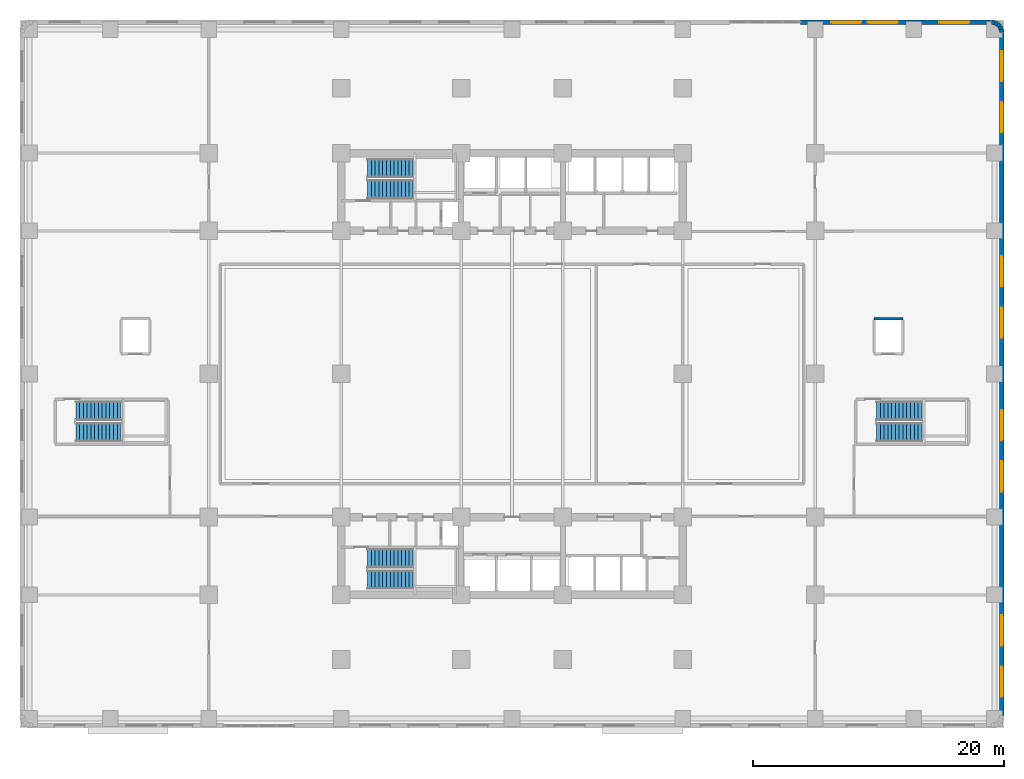
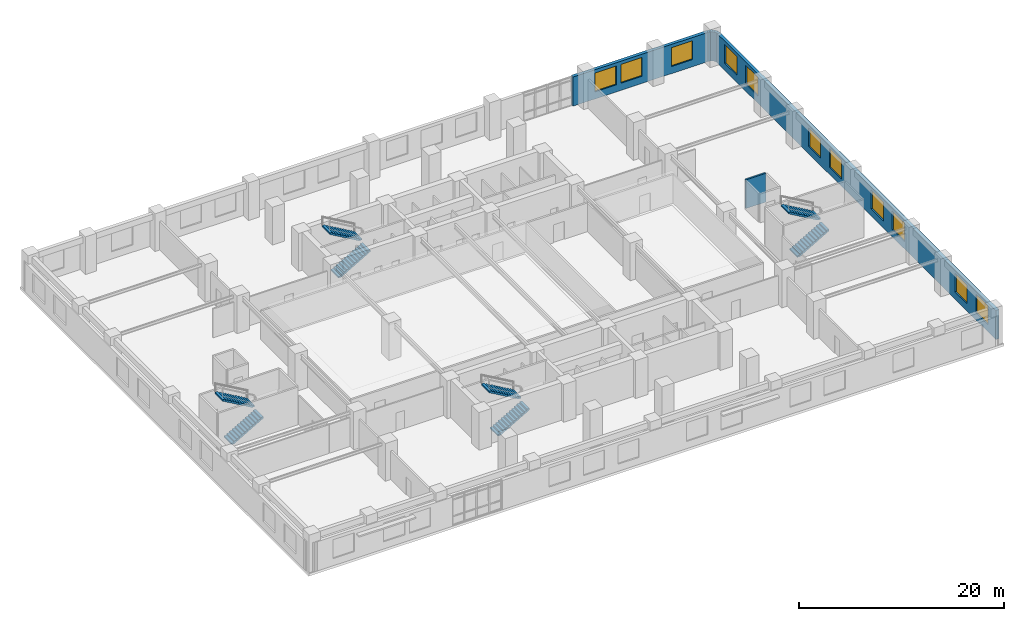
# One storey, part 10 of 14: 11 windows, 8 stair flights, 8 walls, 11 openings, 4 elements without a shape of their own.
"""IFC4 building model written with IfcOpenShell, lengths in metres."""

import ifcopenshell
import ifcopenshell.guid

model = None  # the IFC model being written
_history = None  # IfcOwnerHistory: only IFC2X3 demands one
_inside = {}  # id of a spatial element -> (the spatial element, [elements in it])
_under = {}  # id of a project, library or spatial element -> (it, [spatial elements below it])
_declared = {}  # id of a project -> (the project, [libraries it declares])
_typed = {}  # id of a type object -> (the type object, [elements of that type])
_made_of = {}  # id of a material, layer set ... -> (it, [elements and type objects made of it])


def new_model(schema):
    """Start an empty IFC model of exactly this schema.

    Asked for "IFC4X3", IfcOpenShell would pick the latest addendum, in which some entities
    have other attributes; the version numbers below select the first issue.
    IFC2X3 requires an IfcOwnerHistory on every rooted entity: one is made here for all.
    """
    global model, _history
    if schema == "IFC4X3":
        model = ifcopenshell.file(schema_version=(4, 3, 0, 0))
    else:
        model = ifcopenshell.file(schema=schema)
    _inside.clear()
    _under.clear()
    _declared.clear()
    _typed.clear()
    _made_of.clear()
    _history = None
    if model.schema == "IFC2X3":
        org = make("IfcOrganization", Name="unknown")
        user = make(
            "IfcPersonAndOrganization",
            ThePerson=make("IfcPerson", FamilyName="unknown"),
            TheOrganization=org,
        )
        app = make(
            "IfcApplication",
            ApplicationDeveloper=org,
            Version="unknown",
            ApplicationFullName="unknown",
            ApplicationIdentifier="unknown",
        )
        _history = make(
            "IfcOwnerHistory",
            OwningUser=user,
            OwningApplication=app,
            ChangeAction="ADDED",
            CreationDate=0,
        )
    return model


def make(cls, **values):
    """One entity of the class cls with the attributes given. An attribute that is None is left unset."""
    return model.create_entity(
        cls, **{name: value for name, value in values.items() if value is not None}
    )


def rooted(cls, **values):
    """An entity with a GlobalId (a new one), such as an element, a storey or a relation."""
    return make(cls, GlobalId=ifcopenshell.guid.new(), OwnerHistory=_history, **values)


def si_unit(unit_type, name, prefix=None):
    """IfcSIUnit, for example si_unit("LENGTHUNIT", "METRE", prefix="MILLI")."""
    return make("IfcSIUnit", UnitType=unit_type, Prefix=prefix, Name=name)


def assignment(units):
    """IfcUnitAssignment: the units of a project."""
    return None if units is None else make("IfcUnitAssignment", Units=units)


def point(xyz):
    """IfcCartesianPoint."""
    return None if xyz is None else make("IfcCartesianPoint", Coordinates=xyz)


def direction(xyz):
    """IfcDirection."""
    return None if xyz is None else make("IfcDirection", DirectionRatios=xyz)


def frame(location, z_axis=None, x_axis=None):
    """IfcAxis2Placement3D, a coordinate frame: its origin and axes. An axis left out is left unset."""
    return make(
        "IfcAxis2Placement3D",
        Location=point(location),
        Axis=direction(z_axis),
        RefDirection=direction(x_axis),
    )


def frame_2d(location, x_axis=None):
    """IfcAxis2Placement2D, a coordinate frame in the plane: its origin and x axis."""
    return make(
        "IfcAxis2Placement2D", Location=point(location), RefDirection=direction(x_axis)
    )


def origin():
    """The frame at (0, 0, 0) with its axes left unset."""
    return frame((0.0, 0.0, 0.0))


def place(relative_to, where):
    """IfcLocalPlacement: puts the frame where relative to a parent placement (None: the world)."""
    return make(
        "IfcLocalPlacement", PlacementRelTo=relative_to, RelativePlacement=where
    )


def context(
    kind, dimensions, precision=None, world=None, true_north=None, identifier=None
):
    """IfcGeometricRepresentationContext, for example the 3D "Model" context."""
    return make(
        "IfcGeometricRepresentationContext",
        ContextIdentifier=identifier,
        ContextType=kind,
        CoordinateSpaceDimension=dimensions,
        Precision=precision,
        WorldCoordinateSystem=world,
        TrueNorth=true_north,
    )


def subcontext(parent, identifier, kind, view, scale=None):
    """IfcGeometricRepresentationSubContext, for example "Body" below "Model"."""
    return make(
        "IfcGeometricRepresentationSubContext",
        ContextIdentifier=identifier,
        ContextType=kind,
        ParentContext=parent,
        TargetScale=scale,
        TargetView=view,
    )


def project(units=None, contexts=None):
    """IfcProject with its units and contexts."""
    return rooted(
        "IfcProject",
        Name="project",
        RepresentationContexts=contexts,
        UnitsInContext=assignment(units),
    )


def spatial(cls, under=None, at=None, **own):
    """A site, building, storey or space (cls), placed at a placement, below another one or the project."""
    s = rooted(cls, ObjectPlacement=at, **own)
    if under is not None:
        _under.setdefault(under.id(), (under, []))[1].append(s)
    return s


def polyline(points):
    """IfcPolyline through the points."""
    return make("IfcPolyline", Points=[point(p) for p in points])


def profile(cls, at=None, kind="AREA", **sizes):
    """A parametric profile (cls). Its sizes go by their IFC names, for example OverallWidth=200.0."""
    return make(cls, ProfileType=kind, Position=at, **sizes)


def rectangle(**sizes):
    """IfcRectangleProfileDef."""
    return profile("IfcRectangleProfileDef", **sizes)


def outline(outer, holes=None, kind="AREA"):
    """IfcArbitraryClosedProfileDef: a profile drawn as a closed curve; with holes, ...WithVoids."""
    if holes is None:
        return make("IfcArbitraryClosedProfileDef", ProfileType=kind, OuterCurve=outer)
    return make(
        "IfcArbitraryProfileDefWithVoids",
        ProfileType=kind,
        OuterCurve=outer,
        InnerCurves=holes,
    )


def extrude(swept, where, along, depth):
    """IfcExtrudedAreaSolid: the profile swept, set in the frame where, extruded along a direction by depth."""
    return make(
        "IfcExtrudedAreaSolid",
        SweptArea=swept,
        Position=where,
        ExtrudedDirection=direction(along),
        Depth=depth,
    )


def shape(context_of_items, identifier, shape_type, items):
    """IfcShapeRepresentation: the items that make up one representation, for example the "Body"."""
    return make(
        "IfcShapeRepresentation",
        ContextOfItems=context_of_items,
        RepresentationIdentifier=identifier,
        RepresentationType=shape_type,
        Items=items,
    )


def material(Name=None, Category=None):
    """IfcMaterial."""
    return make("IfcMaterial", Name=Name, Category=Category)


def layer(
    of_material, thickness, ventilated=None, Name=None, Category=None, Priority=None
):
    """IfcMaterialLayer: one layer of a wall or slab, of a material (None: an air gap)."""
    return make(
        "IfcMaterialLayer",
        Material=of_material,
        LayerThickness=thickness,
        IsVentilated=ventilated,
        Name=Name,
        Category=Category,
        Priority=Priority,
    )


def layer_set(layers, Name=None):
    """IfcMaterialLayerSet."""
    return make("IfcMaterialLayerSet", MaterialLayers=layers, LayerSetName=Name)


def made_of(thing, what):
    """Note that an element or type object is made of a material, layer set ...; save() writes the relation."""
    if what is not None:
        _made_of.setdefault(what.id(), (what, []))[1].append(thing)
    return thing


def type_object(cls, material=None, **own):
    """A type object (cls), such as IfcWallType, which elements share."""
    return made_of(rooted(cls, **own), material)


def element(
    cls,
    number,
    at=None,
    inside=None,
    cuts=None,
    type_object=None,
    material=None,
    context=None,
    identifier="Body",
    shape_type=None,
    held_by="IfcProductDefinitionShape",
    body=None,
    shapes=None,
    **own,
):
    """One element of the class cls, such as IfcWall. Its Tag is "e" and its number.

    at: its placement. inside: the storey or other place that contains it. cuts: it is an
    opening in that element (IfcRelVoidsElement). A single representation is given by context,
    identifier, shape_type and body (its items); several are given by shapes. held_by: the class
    of the entity that holds the representations. save() writes the other relations.
    """
    e = rooted(cls, Tag="e%d" % number, ObjectPlacement=at, **own)
    if body is not None:
        shapes = [shape(context, identifier, shape_type, body)]
    if shapes is not None:
        e.Representation = make(held_by, Representations=shapes)
    if inside is not None:
        _inside.setdefault(inside.id(), (inside, []))[1].append(e)
    if cuts is not None:
        rooted(
            "IfcRelVoidsElement", RelatingBuildingElement=cuts, RelatedOpeningElement=e
        )
    if type_object is not None:
        _typed.setdefault(type_object.id(), (type_object, []))[1].append(e)
    return made_of(e, material)


def fill(opening, filler):
    """IfcRelFillsElement: the door or window that sits in an opening."""
    return rooted(
        "IfcRelFillsElement",
        RelatingOpeningElement=opening,
        RelatedBuildingElement=filler,
    )


def aggregate(whole, parts):
    """IfcRelAggregates: a whole, such as a stair, and the parts it consists of."""
    return rooted("IfcRelAggregates", RelatingObject=whole, RelatedObjects=parts)


def save(model, path):
    """Write the relations noted so far, then the file.

    IfcRelAggregates (storeys below a building ...), IfcRelContainedInSpatialStructure (elements
    in a storey), IfcRelDefinesByType, IfcRelAssociatesMaterial and IfcRelDeclares: one each for
    every whole, place, type object, material and project.
    """
    for whole, parts in _under.values():
        aggregate(whole, parts)
    for where, things in _inside.values():
        rooted(
            "IfcRelContainedInSpatialStructure",
            RelatedElements=things,
            RelatingStructure=where,
        )
    for kind, things in _typed.values():
        rooted("IfcRelDefinesByType", RelatedObjects=things, RelatingType=kind)
    for what, things in _made_of.values():
        rooted("IfcRelAssociatesMaterial", RelatedObjects=things, RelatingMaterial=what)
    for by, libraries in _declared.values():
        rooted("IfcRelDeclares", RelatingContext=by, RelatedDefinitions=libraries)
    model.write(path)


model = new_model("IFC4")

# Units and contexts
model_context = context("Model", 3, precision=1e-05, world=origin(), true_north=direction((0.0, 1.0)))
body_context = subcontext(model_context, "Body", "Model", "MODEL_VIEW")
ifc_project = project(units=[si_unit("LENGTHUNIT", "METRE"), si_unit("AREAUNIT", "SQUARE_METRE"), si_unit("VOLUMEUNIT", "CUBIC_METRE"), si_unit("PLANEANGLEUNIT", "RADIAN"), si_unit("MASSUNIT", "GRAM", prefix="KILO")], contexts=[model_context])

# Site, building, storey
site_placement = place(None, origin())
site = spatial("IfcSite", under=ifc_project, at=site_placement, CompositionType="ELEMENT")
building_placement = place(site_placement, origin())
building = spatial("IfcBuilding", under=site, at=building_placement, Name="Svetorya Sky Lyceum", CompositionType="ELEMENT")
storey_placement = place(building_placement, frame((0.0, 0.0, 15.60009765625)))
storey = spatial("IfcBuildingStorey", under=building, at=storey_placement, Name="L03", CompositionType="ELEMENT", Elevation=15.60009765625)

# Wall, openings, windows
ifc_material_1 = material(Name="Putilovo limestone rainscreen on autoclaved cellular masonry", Category="masonry")
ifc_layer_1 = layer(ifc_material_1, 0.360107421875)
ifc_layer_set_1 = layer_set([ifc_layer_1], Name="Putilovo limestone rainscreen on autoclaved cellular masonry")
wall_type_1 = type_object("IfcWallType", Name="WL-EXT-360", PredefinedType="SOLIDWALL", material=ifc_layer_set_1)
wall_1_placement = place(storey_placement, frame((78.219970703125, 0.97998046875, 0.0), z_axis=(0.0, 0.0, 1.0), x_axis=(0.0, 1.0, 0.0)))
wall_1 = element("IfcWall", 1, at=wall_1_placement, inside=storey, type_object=wall_type_1, Name="L03 Limestone Exterior Wall 12M", PredefinedType="SOLIDWALL", context=body_context, shape_type="SweptSolid", body=[
    extrude(rectangle(XDim=54.43994140625, YDim=0.360107421875, at=frame_2d((27.219970703125, 0.0))), origin(), (0.0, 0.0, 1.0), 3.47998046875),
])
opening_1_placement = place(wall_1_placement, frame((1.493896484375, 0.0, 0.85009765625)))
opening_1 = element("IfcOpeningElement", 2, at=opening_1_placement, cuts=wall_1, Name="Opening W-S1", PredefinedType="OPENING", context=body_context, shape_type="SweptSolid", body=[
    extrude(rectangle(XDim=2.39990234375, YDim=2.25, at=frame_2d((1.199951171875, 1.125))), frame((0.0, 0.18994140625, 0.0), z_axis=(0.0, -1.0, 0.0), x_axis=(1.0, 0.0, 0.0)), (0.0, 0.0, 1.0), 0.380126953125),
])
opening_2_placement = place(wall_1_placement, frame((5.58154296875, 0.0, 0.85009765625)))
opening_2 = element("IfcOpeningElement", 3, at=opening_2_placement, cuts=wall_1, Name="Opening W-S1", PredefinedType="OPENING", context=body_context, shape_type="SweptSolid", body=[
    extrude(rectangle(XDim=2.39990234375, YDim=2.25, at=frame_2d((1.199951171875, 1.125))), frame((0.0, 0.18994140625, 0.0), z_axis=(0.0, -1.0, 0.0), x_axis=(1.0, 0.0, 0.0)), (0.0, 0.0, 1.0), 0.380126953125),
])
opening_3_placement = place(wall_1_placement, frame((17.844482421875, 0.0, 0.85009765625)))
opening_3 = element("IfcOpeningElement", 4, at=opening_3_placement, cuts=wall_1, Name="Opening W-S1", PredefinedType="OPENING", context=body_context, shape_type="SweptSolid", body=[
    extrude(rectangle(XDim=2.39990234375, YDim=2.25, at=frame_2d((1.199951171875, 1.125))), frame((0.0, 0.18994140625, 0.0), z_axis=(0.0, -1.0, 0.0), x_axis=(1.0, 0.0, 0.0)), (0.0, 0.0, 1.0), 0.380126953125),
])
opening_4_placement = place(wall_1_placement, frame((21.932373046875, 0.0, 0.85009765625)))
opening_4 = element("IfcOpeningElement", 5, at=opening_4_placement, cuts=wall_1, Name="Opening W-S1", PredefinedType="OPENING", context=body_context, shape_type="SweptSolid", body=[
    extrude(rectangle(XDim=2.39990234375, YDim=2.25, at=frame_2d((1.199951171875, 1.125))), frame((0.0, 0.18994140625, 0.0), z_axis=(0.0, -1.0, 0.0), x_axis=(1.0, 0.0, 0.0)), (0.0, 0.0, 1.0), 0.380126953125),
])
opening_5_placement = place(wall_1_placement, frame((30.107666015625, 0.0, 0.85009765625)))
opening_5 = element("IfcOpeningElement", 6, at=opening_5_placement, cuts=wall_1, Name="Opening W-S1", PredefinedType="OPENING", context=body_context, shape_type="SweptSolid", body=[
    extrude(rectangle(XDim=2.39990234375, YDim=2.25, at=frame_2d((1.199951171875, 1.125))), frame((0.0, 0.18994140625, 0.0), z_axis=(0.0, -1.0, 0.0), x_axis=(1.0, 0.0, 0.0)), (0.0, 0.0, 1.0), 0.380126953125),
])
opening_6_placement = place(wall_1_placement, frame((34.1953125, 0.0, 0.85009765625)))
opening_6 = element("IfcOpeningElement", 7, at=opening_6_placement, cuts=wall_1, Name="Opening W-S1", PredefinedType="OPENING", context=body_context, shape_type="SweptSolid", body=[
    extrude(rectangle(XDim=2.39990234375, YDim=2.25, at=frame_2d((1.199951171875, 1.125))), frame((0.0, 0.18994140625, 0.0), z_axis=(0.0, -1.0, 0.0), x_axis=(1.0, 0.0, 0.0)), (0.0, 0.0, 1.0), 0.380126953125),
])
opening_7_placement = place(wall_1_placement, frame((46.45849609375, 0.0, 0.85009765625)))
opening_7 = element("IfcOpeningElement", 8, at=opening_7_placement, cuts=wall_1, Name="Opening W-S1", PredefinedType="OPENING", context=body_context, shape_type="SweptSolid", body=[
    extrude(rectangle(XDim=2.39990234375, YDim=2.25, at=frame_2d((1.199951171875, 1.125))), frame((0.0, 0.18994140625, 0.0), z_axis=(0.0, -1.0, 0.0), x_axis=(1.0, 0.0, 0.0)), (0.0, 0.0, 1.0), 0.380126953125),
])
opening_8_placement = place(wall_1_placement, frame((50.546142578125, 0.0, 0.85009765625)))
opening_8 = element("IfcOpeningElement", 9, at=opening_8_placement, cuts=wall_1, Name="Opening W-S1", PredefinedType="OPENING", context=body_context, shape_type="SweptSolid", body=[
    extrude(rectangle(XDim=2.39990234375, YDim=2.25, at=frame_2d((1.199951171875, 1.125))), frame((0.0, 0.18994140625, 0.0), z_axis=(0.0, -1.0, 0.0), x_axis=(1.0, 0.0, 0.0)), (0.0, 0.0, 1.0), 0.380126953125),
])
ifc_material_2 = material(Name="Thermally broken aluminium frame with triple low-E glazing", Category="aluminium")
window_type = type_object("IfcWindowType", Name="WN-SCH-240", PartitioningType="TRIPLE_PANEL_HORIZONTAL", PredefinedType="WINDOW", material=ifc_material_2)
window_1_placement = place(opening_1_placement, origin())
window_1 = element("IfcWindow", 10, at=window_1_placement, inside=storey, type_object=window_type, Name="L03 Facade Window W-S1.12M.1", OverallHeight=2.25, OverallWidth=2.39990234375, PartitioningType="SINGLE_PANEL", PredefinedType="WINDOW", context=body_context, shape_type="SweptSolid", body=[
    extrude(rectangle(XDim=2.39990234375, YDim=2.25, at=frame_2d((1.199951171875, 1.125))), frame((0.0, 0.030029296875, 0.0), z_axis=(0.0, -1.0, 0.0), x_axis=(1.0, 0.0, 0.0)), (0.0, 0.0, 1.0), 0.06005859375),
])
fill(opening_1, window_1)
window_2_placement = place(opening_2_placement, origin())
window_2 = element("IfcWindow", 11, at=window_2_placement, inside=storey, type_object=window_type, Name="L03 Facade Window W-S1.12M.2", OverallHeight=2.25, OverallWidth=2.39990234375, PartitioningType="SINGLE_PANEL", PredefinedType="WINDOW", context=body_context, shape_type="SweptSolid", body=[
    extrude(rectangle(XDim=2.39990234375, YDim=2.25, at=frame_2d((1.199951171875, 1.125))), frame((0.0, 0.030029296875, 0.0), z_axis=(0.0, -1.0, 0.0), x_axis=(1.0, 0.0, 0.0)), (0.0, 0.0, 1.0), 0.06005859375),
])
fill(opening_2, window_2)
window_3_placement = place(opening_3_placement, origin())
window_3 = element("IfcWindow", 12, at=window_3_placement, inside=storey, type_object=window_type, Name="L03 Facade Window W-S1.12M.3", OverallHeight=2.25, OverallWidth=2.39990234375, PartitioningType="SINGLE_PANEL", PredefinedType="WINDOW", context=body_context, shape_type="SweptSolid", body=[
    extrude(rectangle(XDim=2.39990234375, YDim=2.25, at=frame_2d((1.199951171875, 1.125))), frame((0.0, 0.030029296875, 0.0), z_axis=(0.0, -1.0, 0.0), x_axis=(1.0, 0.0, 0.0)), (0.0, 0.0, 1.0), 0.06005859375),
])
fill(opening_3, window_3)
window_4_placement = place(opening_4_placement, origin())
window_4 = element("IfcWindow", 13, at=window_4_placement, inside=storey, type_object=window_type, Name="L03 Facade Window W-S1.12M.4", OverallHeight=2.25, OverallWidth=2.39990234375, PartitioningType="SINGLE_PANEL", PredefinedType="WINDOW", context=body_context, shape_type="SweptSolid", body=[
    extrude(rectangle(XDim=2.39990234375, YDim=2.25, at=frame_2d((1.199951171875, 1.125))), frame((0.0, 0.030029296875, 0.0), z_axis=(0.0, -1.0, 0.0), x_axis=(1.0, 0.0, 0.0)), (0.0, 0.0, 1.0), 0.06005859375),
])
fill(opening_4, window_4)
window_5_placement = place(opening_5_placement, origin())
window_5 = element("IfcWindow", 14, at=window_5_placement, inside=storey, type_object=window_type, Name="L03 Facade Window W-S1.12M.5", OverallHeight=2.25, OverallWidth=2.39990234375, PartitioningType="SINGLE_PANEL", PredefinedType="WINDOW", context=body_context, shape_type="SweptSolid", body=[
    extrude(rectangle(XDim=2.39990234375, YDim=2.25, at=frame_2d((1.199951171875, 1.125))), frame((0.0, 0.030029296875, 0.0), z_axis=(0.0, -1.0, 0.0), x_axis=(1.0, 0.0, 0.0)), (0.0, 0.0, 1.0), 0.06005859375),
])
fill(opening_5, window_5)
window_6_placement = place(opening_6_placement, origin())
window_6 = element("IfcWindow", 15, at=window_6_placement, inside=storey, type_object=window_type, Name="L03 Facade Window W-S1.12M.6", OverallHeight=2.25, OverallWidth=2.39990234375, PartitioningType="SINGLE_PANEL", PredefinedType="WINDOW", context=body_context, shape_type="SweptSolid", body=[
    extrude(rectangle(XDim=2.39990234375, YDim=2.25, at=frame_2d((1.199951171875, 1.125))), frame((0.0, 0.030029296875, 0.0), z_axis=(0.0, -1.0, 0.0), x_axis=(1.0, 0.0, 0.0)), (0.0, 0.0, 1.0), 0.06005859375),
])
fill(opening_6, window_6)
window_7_placement = place(opening_7_placement, origin())
window_7 = element("IfcWindow", 16, at=window_7_placement, inside=storey, type_object=window_type, Name="L03 Facade Window W-S1.12M.7", OverallHeight=2.25, OverallWidth=2.39990234375, PartitioningType="SINGLE_PANEL", PredefinedType="WINDOW", context=body_context, shape_type="SweptSolid", body=[
    extrude(rectangle(XDim=2.39990234375, YDim=2.25, at=frame_2d((1.199951171875, 1.125))), frame((0.0, 0.030029296875, 0.0), z_axis=(0.0, -1.0, 0.0), x_axis=(1.0, 0.0, 0.0)), (0.0, 0.0, 1.0), 0.06005859375),
])
fill(opening_7, window_7)
window_8_placement = place(opening_8_placement, origin())
window_8 = element("IfcWindow", 17, at=window_8_placement, inside=storey, type_object=window_type, Name="L03 Facade Window W-S1.12M.8", OverallHeight=2.25, OverallWidth=2.39990234375, PartitioningType="SINGLE_PANEL", PredefinedType="WINDOW", context=body_context, shape_type="SweptSolid", body=[
    extrude(rectangle(XDim=2.39990234375, YDim=2.25, at=frame_2d((1.199951171875, 1.125))), frame((0.0, 0.030029296875, 0.0), z_axis=(0.0, -1.0, 0.0), x_axis=(1.0, 0.0, 0.0)), (0.0, 0.0, 1.0), 0.06005859375),
])
fill(opening_8, window_8)

# Walls
wall_2_placement = place(storey_placement, frame((78.219970703125, 55.419921875, 0.0), z_axis=(0.0, 0.0, 1.0), x_axis=(-0.156012644899, 0.987755058014, 0.0)))
element("IfcWall", 18, at=wall_2_placement, inside=storey, type_object=wall_type_1, Name="L03 Limestone Exterior Wall 13M", PredefinedType="SOLIDWALL", context=body_context, shape_type="SweptSolid", body=[
    extrude(rectangle(XDim=0.25048828125, YDim=0.360107421875, at=frame_2d((0.125244140625, 0.0))), origin(), (0.0, 0.0, 1.0), 3.47998046875),
])
for number, where, z_axis, x_axis, name in (
    (19, (78.180908203125, 55.667236328125, 0.0), (0.0, 0.0, 1.0), (-0.45461251152, 0.89068931978, 0.0), "L03 Limestone Exterior Wall 14M"),
    (20, (78.067138671875, 55.89013671875, 0.0), (0.0, 0.0, 1.0), (-0.707106781187, 0.707106781187, 0.0), "L03 Limestone Exterior Wall 15M"),
    (21, (77.89013671875, 56.067138671875, 0.0), (0.0, 0.0, 1.0), (-0.89068931978, 0.45461251152, 0.0), "L03 Limestone Exterior Wall 16M"),
):
    element("IfcWall", number, at=place(storey_placement, frame(where, z_axis=z_axis, x_axis=x_axis)), inside=storey, type_object=wall_type_1, Name=name, PredefinedType="SOLIDWALL", context=body_context, shape_type="SweptSolid", body=[
        extrude(rectangle(XDim=0.250244140625, YDim=0.360107421875, at=frame_2d((0.125, 0.0))), origin(), (0.0, 0.0, 1.0), 3.47998046875),
    ])
wall_3_placement = place(storey_placement, frame((77.667236328125, 56.180908203125, 0.0), z_axis=(0.0, 0.0, 1.0), x_axis=(-0.987755058014, 0.156012644899, 0.0)))
element("IfcWall", 22, at=wall_3_placement, inside=storey, type_object=wall_type_1, Name="L03 Limestone Exterior Wall 17M", PredefinedType="SOLIDWALL", context=body_context, shape_type="SweptSolid", body=[
    extrude(rectangle(XDim=0.25048828125, YDim=0.360107421875, at=frame_2d((0.125244140625, 0.0))), origin(), (0.0, 0.0, 1.0), 3.47998046875),
])

# Wall, openings, windows
wall_4_placement = place(storey_placement, frame((77.419921875, 56.219970703125, 0.0), z_axis=(0.0, 0.0, 1.0), x_axis=(-1.0, 0.0, 0.0)))
wall_4 = element("IfcWall", 23, at=wall_4_placement, inside=storey, type_object=wall_type_1, Name="L03 Limestone Exterior Wall 18A", PredefinedType="SOLIDWALL", context=body_context, shape_type="SweptSolid", body=[
    extrude(rectangle(XDim=15.25, YDim=0.360107421875, at=frame_2d((7.625, 0.0))), origin(), (0.0, 0.0, 1.0), 3.47998046875),
])
opening_9_placement = place(wall_4_placement, frame((1.77490234375, 0.0, 0.85009765625)))
opening_9 = element("IfcOpeningElement", 24, at=opening_9_placement, cuts=wall_4, Name="Opening W-S1", PredefinedType="OPENING", context=body_context, shape_type="SweptSolid", body=[
    extrude(rectangle(XDim=2.39990234375, YDim=2.25, at=frame_2d((1.199951171875, 1.125))), frame((0.0, 0.18994140625, 0.0), z_axis=(0.0, -1.0, 0.0), x_axis=(1.0, 0.0, 0.0)), (0.0, 0.0, 1.0), 0.380126953125),
])
opening_10_placement = place(wall_4_placement, frame((7.47509765625, 0.0, 0.85009765625)))
opening_10 = element("IfcOpeningElement", 25, at=opening_10_placement, cuts=wall_4, Name="Opening W-S1", PredefinedType="OPENING", context=body_context, shape_type="SweptSolid", body=[
    extrude(rectangle(XDim=2.39990234375, YDim=2.25, at=frame_2d((1.199951171875, 1.125))), frame((0.0, 0.18994140625, 0.0), z_axis=(0.0, -1.0, 0.0), x_axis=(1.0, 0.0, 0.0)), (0.0, 0.0, 1.0), 0.380126953125),
])
opening_11_placement = place(wall_4_placement, frame((10.375, 0.0, 0.85009765625)))
opening_11 = element("IfcOpeningElement", 26, at=opening_11_placement, cuts=wall_4, Name="Opening W-S1", PredefinedType="OPENING", context=body_context, shape_type="SweptSolid", body=[
    extrude(rectangle(XDim=2.39990234375, YDim=2.25, at=frame_2d((1.199951171875, 1.125))), frame((0.0, 0.18994140625, 0.0), z_axis=(0.0, -1.0, 0.0), x_axis=(1.0, 0.0, 0.0)), (0.0, 0.0, 1.0), 0.380126953125),
])
window_9_placement = place(opening_9_placement, origin())
window_9 = element("IfcWindow", 27, at=window_9_placement, inside=storey, type_object=window_type, Name="L03 Facade Window W-S1.18A.1", OverallHeight=2.25, OverallWidth=2.39990234375, PartitioningType="SINGLE_PANEL", PredefinedType="WINDOW", context=body_context, shape_type="SweptSolid", body=[
    extrude(rectangle(XDim=2.39990234375, YDim=2.25, at=frame_2d((1.199951171875, 1.125))), frame((0.0, 0.030029296875, 0.0), z_axis=(0.0, -1.0, 0.0), x_axis=(1.0, 0.0, 0.0)), (0.0, 0.0, 1.0), 0.06005859375),
])
fill(opening_9, window_9)
window_10_placement = place(opening_10_placement, origin())
window_10 = element("IfcWindow", 28, at=window_10_placement, inside=storey, type_object=window_type, Name="L03 Facade Window W-S1.18A.2", OverallHeight=2.25, OverallWidth=2.39990234375, PartitioningType="SINGLE_PANEL", PredefinedType="WINDOW", context=body_context, shape_type="SweptSolid", body=[
    extrude(rectangle(XDim=2.39990234375, YDim=2.25, at=frame_2d((1.199951171875, 1.125))), frame((0.0, 0.030029296875, 0.0), z_axis=(0.0, -1.0, 0.0), x_axis=(1.0, 0.0, 0.0)), (0.0, 0.0, 1.0), 0.06005859375),
])
fill(opening_10, window_10)
window_11_placement = place(opening_11_placement, origin())
window_11 = element("IfcWindow", 29, at=window_11_placement, inside=storey, type_object=window_type, Name="L03 Facade Window W-S1.18A.3", OverallHeight=2.25, OverallWidth=2.39990234375, PartitioningType="SINGLE_PANEL", PredefinedType="WINDOW", context=body_context, shape_type="SweptSolid", body=[
    extrude(rectangle(XDim=2.39990234375, YDim=2.25, at=frame_2d((1.199951171875, 1.125))), frame((0.0, 0.030029296875, 0.0), z_axis=(0.0, -1.0, 0.0), x_axis=(1.0, 0.0, 0.0)), (0.0, 0.0, 1.0), 0.06005859375),
])
fill(opening_11, window_11)

# Wall
ifc_material_3 = material(Name="Autoclaved cellular masonry blockwork with gypsum plaster", Category="masonry")
ifc_layer_2 = layer(ifc_material_3, 0.199951171875)
ifc_layer_set_2 = layer_set([ifc_layer_2], Name="Autoclaved cellular masonry blockwork with gypsum plaster")
wall_type_2 = type_object("IfcWallType", Name="WL-PART-200", PredefinedType="PARTITIONING", material=ifc_layer_set_2)
wall_5_placement = place(storey_placement, frame((68.050048828125, 32.60009765625, 0.0), z_axis=(0.0, 0.0, 1.0), x_axis=(1.0, 0.0, 0.0)))
element("IfcWall", 30, at=wall_5_placement, inside=storey, type_object=wall_type_2, Name="L03 Interior Partition SHL-N-SCHL2", PredefinedType="PARTITIONING", context=body_context, shape_type="SweptSolid", body=[
    extrude(rectangle(XDim=2.300048828125, YDim=0.199951171875, at=frame_2d((1.14990234375, 0.0))), origin(), (0.0, 0.0, 1.0), 3.419921875),
])

# Stair, stair flights
ifc_material_4 = material(Name="Concrete C40/50", Category="concrete")
stair_type_1 = type_object("IfcStairType", Name="STR-ST-N", PredefinedType="HALF_TURN_STAIR", material=ifc_material_4)
stair_1_placement = place(storey_placement, origin())
stair_1 = element("IfcStair", 31, at=stair_1_placement, inside=storey, type_object=stair_type_1, Name="L03 North Core Smoke-Free Exit Stair N3", PredefinedType="HALF_TURN_STAIR")
stair_flight_type_1 = type_object("IfcStairFlightType", Name="SFL-ST-N", PredefinedType="STRAIGHT", material=ifc_material_4)
stair_flight_1_placement = place(storey_placement, frame((27.699951171875, 42.89990234375, 0.0), z_axis=(0.0, 0.0, 1.0), x_axis=(1.0, 0.0, 0.0)))
stair_flight_1 = element("IfcStairFlight", 32, at=stair_flight_1_placement, type_object=stair_flight_type_1, Name="ST-N flight 1", NumberOfRisers=13, NumberOfTreads=12, PredefinedType="STRAIGHT", RiserHeight=0.173076923, TreadLength=0.3, context=body_context, shape_type="SweptSolid", body=[
    extrude(outline(polyline([(0.0, 0.0), (0.0, 0.173095703125), (0.300048828125, 0.173095703125), (0.300048828125, 0.34619140625), (0.60009765625, 0.34619140625), (0.60009765625, 0.519287109375), (0.89990234375, 0.519287109375), (0.89990234375, 0.6923828125), (1.199951171875, 0.6923828125), (1.199951171875, 0.865478515625), (1.5, 0.865478515625), (1.5, 1.03857421875), (1.800048828125, 1.03857421875), (1.800048828125, 1.21142578125), (2.10009765625, 1.21142578125), (2.10009765625, 1.384521484375), (2.39990234375, 1.384521484375), (2.39990234375, 1.5576171875), (2.699951171875, 1.5576171875), (2.699951171875, 1.730712890625), (3.0, 1.730712890625), (3.0, 1.90380859375), (3.300048828125, 1.90380859375), (3.300048828125, 2.076904296875), (3.60009765625, 2.076904296875), (3.60009765625, 2.25), (3.60009765625, 1.90380859375), (0.300048828125, 0.0), (0.0, 0.0)])), frame((0.0, 0.75, 0.0), z_axis=(0.0, -1.0, 0.0), x_axis=(1.0, 0.0, 0.0)), (0.0, 0.0, 1.0), 1.5),
])
stair_flight_2_placement = place(storey_placement, frame((31.300048828125, 44.60009765625, 2.25), z_axis=(0.0, 0.0, 1.0), x_axis=(-1.0, 0.0, 0.0)))
stair_flight_2 = element("IfcStairFlight", 33, at=stair_flight_2_placement, type_object=stair_flight_type_1, Name="ST-N flight 2", NumberOfRisers=13, NumberOfTreads=12, PredefinedType="STRAIGHT", RiserHeight=0.173076923, TreadLength=0.3, context=body_context, shape_type="SweptSolid", body=[
    extrude(outline(polyline([(0.0, 0.0), (0.0, 0.173095703125), (0.300048828125, 0.173095703125), (0.300048828125, 0.34619140625), (0.60009765625, 0.34619140625), (0.60009765625, 0.519287109375), (0.89990234375, 0.519287109375), (0.89990234375, 0.6923828125), (1.199951171875, 0.6923828125), (1.199951171875, 0.865478515625), (1.5, 0.865478515625), (1.5, 1.03857421875), (1.800048828125, 1.03857421875), (1.800048828125, 1.21142578125), (2.10009765625, 1.21142578125), (2.10009765625, 1.384521484375), (2.39990234375, 1.384521484375), (2.39990234375, 1.5576171875), (2.699951171875, 1.5576171875), (2.699951171875, 1.730712890625), (3.0, 1.730712890625), (3.0, 1.90380859375), (3.300048828125, 1.90380859375), (3.300048828125, 2.076904296875), (3.60009765625, 2.076904296875), (3.60009765625, 2.25), (3.60009765625, 1.90380859375), (0.300048828125, 0.0), (0.0, 0.0)])), frame((0.0, 0.75, 0.0), z_axis=(0.0, -1.0, 0.0), x_axis=(1.0, 0.0, 0.0)), (0.0, 0.0, 1.0), 1.5),
])
aggregate(stair_1, [stair_flight_1, stair_flight_2])

stair_type_2 = type_object("IfcStairType", Name="STR-ST-S", PredefinedType="HALF_TURN_STAIR", material=ifc_material_4)
stair_2_placement = place(storey_placement, origin())
stair_2 = element("IfcStair", 34, at=stair_2_placement, inside=storey, type_object=stair_type_2, Name="L03 South Core Smoke-Free Exit Stair N2", PredefinedType="HALF_TURN_STAIR")
stair_flight_type_2 = type_object("IfcStairFlightType", Name="SFL-ST-S", PredefinedType="STRAIGHT", material=ifc_material_4)
stair_flight_3_placement = place(storey_placement, frame((27.699951171875, 11.800048828125, 0.0), z_axis=(0.0, 0.0, 1.0), x_axis=(1.0, 0.0, 0.0)))
stair_flight_3 = element("IfcStairFlight", 35, at=stair_flight_3_placement, type_object=stair_flight_type_2, Name="ST-S flight 1", NumberOfRisers=13, NumberOfTreads=12, PredefinedType="STRAIGHT", RiserHeight=0.173076923, TreadLength=0.3, context=body_context, shape_type="SweptSolid", body=[
    extrude(outline(polyline([(0.0, 0.0), (0.0, 0.173095703125), (0.300048828125, 0.173095703125), (0.300048828125, 0.34619140625), (0.60009765625, 0.34619140625), (0.60009765625, 0.519287109375), (0.89990234375, 0.519287109375), (0.89990234375, 0.6923828125), (1.199951171875, 0.6923828125), (1.199951171875, 0.865478515625), (1.5, 0.865478515625), (1.5, 1.03857421875), (1.800048828125, 1.03857421875), (1.800048828125, 1.21142578125), (2.10009765625, 1.21142578125), (2.10009765625, 1.384521484375), (2.39990234375, 1.384521484375), (2.39990234375, 1.5576171875), (2.699951171875, 1.5576171875), (2.699951171875, 1.730712890625), (3.0, 1.730712890625), (3.0, 1.90380859375), (3.300048828125, 1.90380859375), (3.300048828125, 2.076904296875), (3.60009765625, 2.076904296875), (3.60009765625, 2.25), (3.60009765625, 1.90380859375), (0.300048828125, 0.0), (0.0, 0.0)])), frame((0.0, 0.75, 0.0), z_axis=(0.0, -1.0, 0.0), x_axis=(1.0, 0.0, 0.0)), (0.0, 0.0, 1.0), 1.5),
])
stair_flight_4_placement = place(storey_placement, frame((31.300048828125, 13.5, 2.25), z_axis=(0.0, 0.0, 1.0), x_axis=(-1.0, 0.0, 0.0)))
stair_flight_4 = element("IfcStairFlight", 36, at=stair_flight_4_placement, type_object=stair_flight_type_2, Name="ST-S flight 2", NumberOfRisers=13, NumberOfTreads=12, PredefinedType="STRAIGHT", RiserHeight=0.173076923, TreadLength=0.3, context=body_context, shape_type="SweptSolid", body=[
    extrude(outline(polyline([(0.0, 0.0), (0.0, 0.173095703125), (0.300048828125, 0.173095703125), (0.300048828125, 0.34619140625), (0.60009765625, 0.34619140625), (0.60009765625, 0.519287109375), (0.89990234375, 0.519287109375), (0.89990234375, 0.6923828125), (1.199951171875, 0.6923828125), (1.199951171875, 0.865478515625), (1.5, 0.865478515625), (1.5, 1.03857421875), (1.800048828125, 1.03857421875), (1.800048828125, 1.21142578125), (2.10009765625, 1.21142578125), (2.10009765625, 1.384521484375), (2.39990234375, 1.384521484375), (2.39990234375, 1.5576171875), (2.699951171875, 1.5576171875), (2.699951171875, 1.730712890625), (3.0, 1.730712890625), (3.0, 1.90380859375), (3.300048828125, 1.90380859375), (3.300048828125, 2.076904296875), (3.60009765625, 2.076904296875), (3.60009765625, 2.25), (3.60009765625, 1.90380859375), (0.300048828125, 0.0), (0.0, 0.0)])), frame((0.0, 0.75, 0.0), z_axis=(0.0, -1.0, 0.0), x_axis=(1.0, 0.0, 0.0)), (0.0, 0.0, 1.0), 1.5),
])
aggregate(stair_2, [stair_flight_3, stair_flight_4])

stair_type_3 = type_object("IfcStairType", Name="STR-ST-SCH-E", PredefinedType="HALF_TURN_STAIR", material=ifc_material_4)
stair_3_placement = place(storey_placement, origin())
stair_3 = element("IfcStair", 37, at=stair_3_placement, inside=storey, type_object=stair_type_3, Name="L03 East Lyceum Podium Dedicated Stair", PredefinedType="HALF_TURN_STAIR")
stair_flight_type_3 = type_object("IfcStairFlightType", Name="SFL-ST-SCH-E", PredefinedType="STRAIGHT", material=ifc_material_4)
stair_flight_5_placement = place(storey_placement, frame((68.25, 23.550048828125, 0.0), z_axis=(0.0, 0.0, 1.0), x_axis=(1.0, 0.0, 0.0)))
stair_flight_5 = element("IfcStairFlight", 38, at=stair_flight_5_placement, type_object=stair_flight_type_3, Name="ST-SCH-E flight 1", NumberOfRisers=13, NumberOfTreads=12, PredefinedType="STRAIGHT", RiserHeight=0.173076923, TreadLength=0.3, context=body_context, shape_type="SweptSolid", body=[
    extrude(outline(polyline([(0.0, 0.0), (0.0, 0.173095703125), (0.300048828125, 0.173095703125), (0.300048828125, 0.34619140625), (0.60009765625, 0.34619140625), (0.60009765625, 0.519287109375), (0.89990234375, 0.519287109375), (0.89990234375, 0.6923828125), (1.199951171875, 0.6923828125), (1.199951171875, 0.865478515625), (1.5, 0.865478515625), (1.5, 1.03857421875), (1.800048828125, 1.03857421875), (1.800048828125, 1.21142578125), (2.10009765625, 1.21142578125), (2.10009765625, 1.384521484375), (2.39990234375, 1.384521484375), (2.39990234375, 1.5576171875), (2.699951171875, 1.5576171875), (2.699951171875, 1.730712890625), (3.0, 1.730712890625), (3.0, 1.90380859375), (3.300048828125, 1.90380859375), (3.300048828125, 2.076904296875), (3.60009765625, 2.076904296875), (3.60009765625, 2.25), (3.60009765625, 1.90380859375), (0.300048828125, 0.0), (0.0, 0.0)])), frame((0.0, 0.75, 0.0), z_axis=(0.0, -1.0, 0.0), x_axis=(1.0, 0.0, 0.0)), (0.0, 0.0, 1.0), 1.5),
])
stair_flight_6_placement = place(storey_placement, frame((71.85009765625, 25.25, 2.25), z_axis=(0.0, 0.0, 1.0), x_axis=(-1.0, 0.0, 0.0)))
stair_flight_6 = element("IfcStairFlight", 39, at=stair_flight_6_placement, type_object=stair_flight_type_3, Name="ST-SCH-E flight 2", NumberOfRisers=13, NumberOfTreads=12, PredefinedType="STRAIGHT", RiserHeight=0.173076923, TreadLength=0.3, context=body_context, shape_type="SweptSolid", body=[
    extrude(outline(polyline([(0.0, 0.0), (0.0, 0.173095703125), (0.300048828125, 0.173095703125), (0.300048828125, 0.34619140625), (0.60009765625, 0.34619140625), (0.60009765625, 0.519287109375), (0.89990234375, 0.519287109375), (0.89990234375, 0.6923828125), (1.199951171875, 0.6923828125), (1.199951171875, 0.865478515625), (1.5, 0.865478515625), (1.5, 1.03857421875), (1.800048828125, 1.03857421875), (1.800048828125, 1.21142578125), (2.10009765625, 1.21142578125), (2.10009765625, 1.384521484375), (2.39990234375, 1.384521484375), (2.39990234375, 1.5576171875), (2.699951171875, 1.5576171875), (2.699951171875, 1.730712890625), (3.0, 1.730712890625), (3.0, 1.90380859375), (3.300048828125, 1.90380859375), (3.300048828125, 2.076904296875), (3.60009765625, 2.076904296875), (3.60009765625, 2.25), (3.60009765625, 1.90380859375), (0.300048828125, 0.0), (0.0, 0.0)])), frame((0.0, 0.75, 0.0), z_axis=(0.0, -1.0, 0.0), x_axis=(1.0, 0.0, 0.0)), (0.0, 0.0, 1.0), 1.5),
])
aggregate(stair_3, [stair_flight_5, stair_flight_6])

stair_type_4 = type_object("IfcStairType", Name="STR-ST-SCH-W", PredefinedType="HALF_TURN_STAIR", material=ifc_material_4)
stair_4_placement = place(storey_placement, origin())
stair_4 = element("IfcStair", 40, at=stair_4_placement, inside=storey, type_object=stair_type_4, Name="L03 West Lyceum Podium Dedicated Stair", PredefinedType="HALF_TURN_STAIR")
stair_flight_type_4 = type_object("IfcStairFlightType", Name="SFL-ST-SCH-W", PredefinedType="STRAIGHT", material=ifc_material_4)
stair_flight_7_placement = place(storey_placement, frame((4.449951171875, 23.550048828125, 0.0), z_axis=(0.0, 0.0, 1.0), x_axis=(1.0, 0.0, 0.0)))
stair_flight_7 = element("IfcStairFlight", 41, at=stair_flight_7_placement, type_object=stair_flight_type_4, Name="ST-SCH-W flight 1", NumberOfRisers=13, NumberOfTreads=12, PredefinedType="STRAIGHT", RiserHeight=0.173076923, TreadLength=0.3, context=body_context, shape_type="SweptSolid", body=[
    extrude(outline(polyline([(0.0, 0.0), (0.0, 0.173095703125), (0.300048828125, 0.173095703125), (0.300048828125, 0.34619140625), (0.60009765625, 0.34619140625), (0.60009765625, 0.519287109375), (0.89990234375, 0.519287109375), (0.89990234375, 0.6923828125), (1.199951171875, 0.6923828125), (1.199951171875, 0.865478515625), (1.5, 0.865478515625), (1.5, 1.03857421875), (1.800048828125, 1.03857421875), (1.800048828125, 1.21142578125), (2.10009765625, 1.21142578125), (2.10009765625, 1.384521484375), (2.39990234375, 1.384521484375), (2.39990234375, 1.5576171875), (2.699951171875, 1.5576171875), (2.699951171875, 1.730712890625), (3.0, 1.730712890625), (3.0, 1.90380859375), (3.300048828125, 1.90380859375), (3.300048828125, 2.076904296875), (3.60009765625, 2.076904296875), (3.60009765625, 2.25), (3.60009765625, 1.90380859375), (0.300048828125, 0.0), (0.0, 0.0)])), frame((0.0, 0.75, 0.0), z_axis=(0.0, -1.0, 0.0), x_axis=(1.0, 0.0, 0.0)), (0.0, 0.0, 1.0), 1.5),
])
stair_flight_8_placement = place(storey_placement, frame((8.050048828125, 25.25, 2.25), z_axis=(0.0, 0.0, 1.0), x_axis=(-1.0, 0.0, 0.0)))
stair_flight_8 = element("IfcStairFlight", 42, at=stair_flight_8_placement, type_object=stair_flight_type_4, Name="ST-SCH-W flight 2", NumberOfRisers=13, NumberOfTreads=12, PredefinedType="STRAIGHT", RiserHeight=0.173076923, TreadLength=0.3, context=body_context, shape_type="SweptSolid", body=[
    extrude(outline(polyline([(0.0, 0.0), (0.0, 0.173095703125), (0.300048828125, 0.173095703125), (0.300048828125, 0.34619140625), (0.60009765625, 0.34619140625), (0.60009765625, 0.519287109375), (0.89990234375, 0.519287109375), (0.89990234375, 0.6923828125), (1.199951171875, 0.6923828125), (1.199951171875, 0.865478515625), (1.5, 0.865478515625), (1.5, 1.03857421875), (1.800048828125, 1.03857421875), (1.800048828125, 1.21142578125), (2.10009765625, 1.21142578125), (2.10009765625, 1.384521484375), (2.39990234375, 1.384521484375), (2.39990234375, 1.5576171875), (2.699951171875, 1.5576171875), (2.699951171875, 1.730712890625), (3.0, 1.730712890625), (3.0, 1.90380859375), (3.300048828125, 1.90380859375), (3.300048828125, 2.076904296875), (3.60009765625, 2.076904296875), (3.60009765625, 2.25), (3.60009765625, 1.90380859375), (0.300048828125, 0.0), (0.0, 0.0)])), frame((0.0, 0.75, 0.0), z_axis=(0.0, -1.0, 0.0), x_axis=(1.0, 0.0, 0.0)), (0.0, 0.0, 1.0), 1.5),
])
aggregate(stair_4, [stair_flight_7, stair_flight_8])

save(model, "model.ifc")
